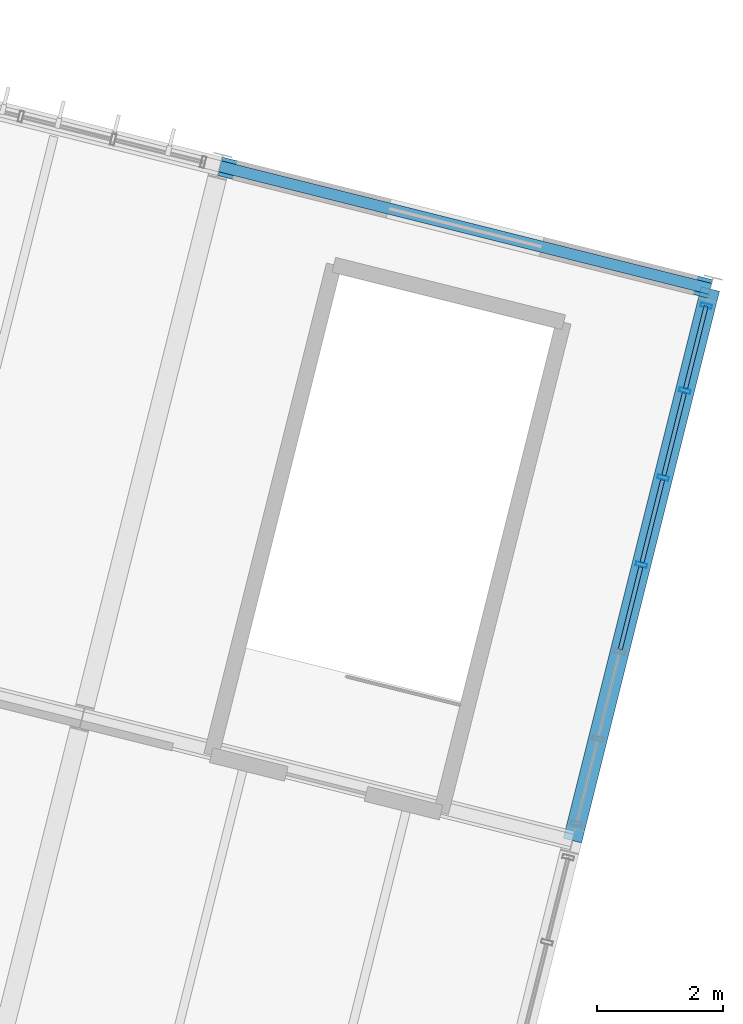
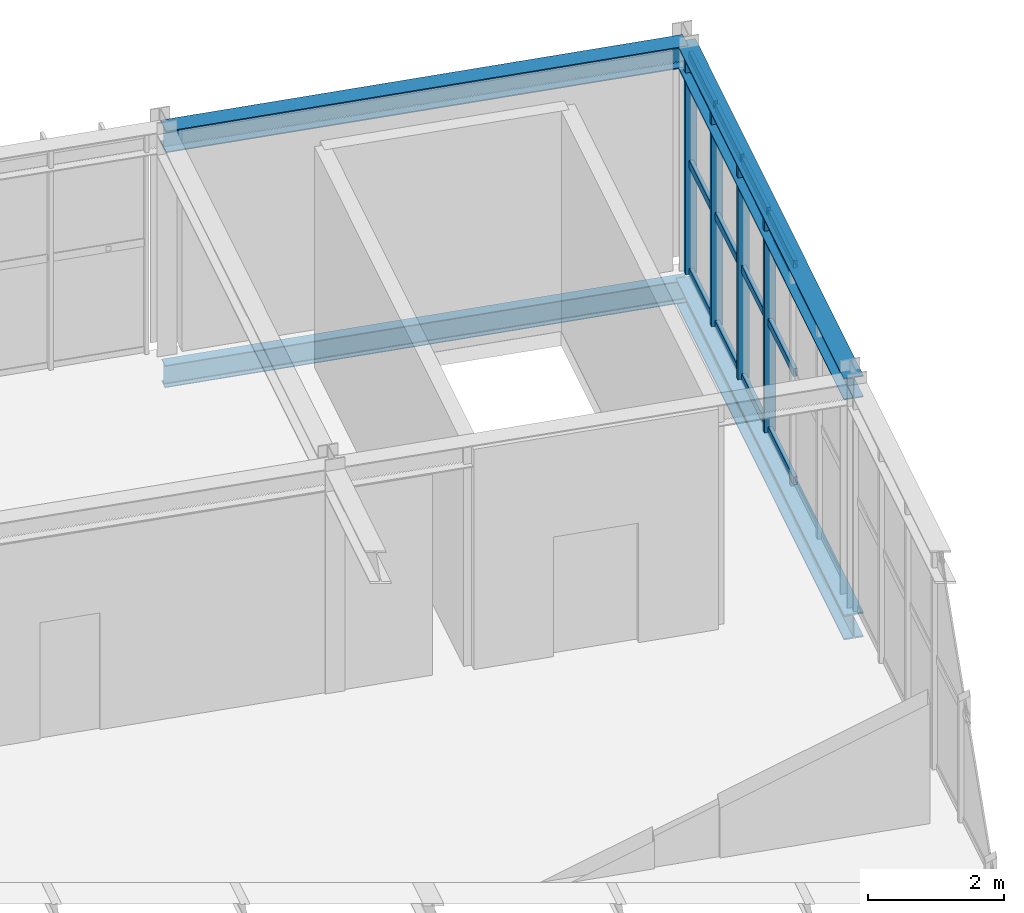
# One storey, part 20 of 30: 16 members, 4 beams, 1 element without a shape of its own.
"""IFC4 building model written with IfcOpenShell, lengths in metres."""

import ifcopenshell
import ifcopenshell.guid

model = None  # the IFC model being written
_history = None  # IfcOwnerHistory: only IFC2X3 demands one
_inside = {}  # id of a spatial element -> (the spatial element, [elements in it])
_under = {}  # id of a project, library or spatial element -> (it, [spatial elements below it])
_declared = {}  # id of a project -> (the project, [libraries it declares])
_typed = {}  # id of a type object -> (the type object, [elements of that type])
_made_of = {}  # id of a material, layer set ... -> (it, [elements and type objects made of it])


def new_model(schema):
    """Start an empty IFC model of exactly this schema.

    Asked for "IFC4X3", IfcOpenShell would pick the latest addendum, in which some entities
    have other attributes; the version numbers below select the first issue.
    IFC2X3 requires an IfcOwnerHistory on every rooted entity: one is made here for all.
    """
    global model, _history
    if schema == "IFC4X3":
        model = ifcopenshell.file(schema_version=(4, 3, 0, 0))
    else:
        model = ifcopenshell.file(schema=schema)
    _inside.clear()
    _under.clear()
    _declared.clear()
    _typed.clear()
    _made_of.clear()
    _history = None
    if model.schema == "IFC2X3":
        org = make("IfcOrganization", Name="unknown")
        user = make(
            "IfcPersonAndOrganization",
            ThePerson=make("IfcPerson", FamilyName="unknown"),
            TheOrganization=org,
        )
        app = make(
            "IfcApplication",
            ApplicationDeveloper=org,
            Version="unknown",
            ApplicationFullName="unknown",
            ApplicationIdentifier="unknown",
        )
        _history = make(
            "IfcOwnerHistory",
            OwningUser=user,
            OwningApplication=app,
            ChangeAction="ADDED",
            CreationDate=0,
        )
    return model


def make(cls, **values):
    """One entity of the class cls with the attributes given. An attribute that is None is left unset."""
    return model.create_entity(
        cls, **{name: value for name, value in values.items() if value is not None}
    )


def rooted(cls, **values):
    """An entity with a GlobalId (a new one), such as an element, a storey or a relation."""
    return make(cls, GlobalId=ifcopenshell.guid.new(), OwnerHistory=_history, **values)


def si_unit(unit_type, name, prefix=None):
    """IfcSIUnit, for example si_unit("LENGTHUNIT", "METRE", prefix="MILLI")."""
    return make("IfcSIUnit", UnitType=unit_type, Prefix=prefix, Name=name)


def derived_unit(unit_type, elements):
    """IfcDerivedUnit: a product of units, each with its exponent."""
    return make(
        "IfcDerivedUnit",
        Elements=[
            make("IfcDerivedUnitElement", Unit=unit, Exponent=power)
            for unit, power in elements
        ],
        UnitType=unit_type,
    )


def assignment(units):
    """IfcUnitAssignment: the units of a project."""
    return None if units is None else make("IfcUnitAssignment", Units=units)


def point(xyz):
    """IfcCartesianPoint."""
    return None if xyz is None else make("IfcCartesianPoint", Coordinates=xyz)


def direction(xyz):
    """IfcDirection."""
    return None if xyz is None else make("IfcDirection", DirectionRatios=xyz)


def frame(location, z_axis=None, x_axis=None):
    """IfcAxis2Placement3D, a coordinate frame: its origin and axes. An axis left out is left unset."""
    return make(
        "IfcAxis2Placement3D",
        Location=point(location),
        Axis=direction(z_axis),
        RefDirection=direction(x_axis),
    )


def frame_2d(location, x_axis=None):
    """IfcAxis2Placement2D, a coordinate frame in the plane: its origin and x axis."""
    return make(
        "IfcAxis2Placement2D", Location=point(location), RefDirection=direction(x_axis)
    )


def origin():
    """The frame at (0, 0, 0) with its axes left unset."""
    return frame((0.0, 0.0, 0.0))


def origin_2d():
    """The frame at (0, 0) in the plane with its x axis left unset."""
    return frame_2d((0.0, 0.0))


def place(relative_to, where):
    """IfcLocalPlacement: puts the frame where relative to a parent placement (None: the world)."""
    return make(
        "IfcLocalPlacement", PlacementRelTo=relative_to, RelativePlacement=where
    )


def context(
    kind, dimensions, precision=None, world=None, true_north=None, identifier=None
):
    """IfcGeometricRepresentationContext, for example the 3D "Model" context."""
    return make(
        "IfcGeometricRepresentationContext",
        ContextIdentifier=identifier,
        ContextType=kind,
        CoordinateSpaceDimension=dimensions,
        Precision=precision,
        WorldCoordinateSystem=world,
        TrueNorth=true_north,
    )


def subcontext(parent, identifier, kind, view, scale=None):
    """IfcGeometricRepresentationSubContext, for example "Body" below "Model"."""
    return make(
        "IfcGeometricRepresentationSubContext",
        ContextIdentifier=identifier,
        ContextType=kind,
        ParentContext=parent,
        TargetScale=scale,
        TargetView=view,
    )


def project(units=None, contexts=None):
    """IfcProject with its units and contexts."""
    return rooted(
        "IfcProject",
        Name="project",
        RepresentationContexts=contexts,
        UnitsInContext=assignment(units),
    )


def spatial(cls, under=None, at=None, **own):
    """A site, building, storey or space (cls), placed at a placement, below another one or the project."""
    s = rooted(cls, ObjectPlacement=at, **own)
    if under is not None:
        _under.setdefault(under.id(), (under, []))[1].append(s)
    return s


def profile(cls, at=None, kind="AREA", **sizes):
    """A parametric profile (cls). Its sizes go by their IFC names, for example OverallWidth=200.0."""
    return make(cls, ProfileType=kind, Position=at, **sizes)


def hollow_rectangle(**sizes):
    """IfcRectangleHollowProfileDef."""
    return profile("IfcRectangleHollowProfileDef", **sizes)


def i_section(**sizes):
    """IfcIShapeProfileDef."""
    return profile("IfcIShapeProfileDef", **sizes)


def extrude(swept, where, along, depth):
    """IfcExtrudedAreaSolid: the profile swept, set in the frame where, extruded along a direction by depth."""
    return make(
        "IfcExtrudedAreaSolid",
        SweptArea=swept,
        Position=where,
        ExtrudedDirection=direction(along),
        Depth=depth,
    )


def shape(context_of_items, identifier, shape_type, items):
    """IfcShapeRepresentation: the items that make up one representation, for example the "Body"."""
    return make(
        "IfcShapeRepresentation",
        ContextOfItems=context_of_items,
        RepresentationIdentifier=identifier,
        RepresentationType=shape_type,
        Items=items,
    )


def material(Name=None, Category=None):
    """IfcMaterial."""
    return make("IfcMaterial", Name=Name, Category=Category)


def material_profile(
    of_material, cross_section, Name=None, Category=None, Priority=None
):
    """IfcMaterialProfile: a cross section and its material."""
    return make(
        "IfcMaterialProfile",
        Name=Name,
        Material=of_material,
        Profile=cross_section,
        Priority=Priority,
        Category=Category,
    )


def profile_set(profiles, Name=None, composite=None):
    """IfcMaterialProfileSet."""
    return make(
        "IfcMaterialProfileSet",
        Name=Name,
        MaterialProfiles=profiles,
        CompositeProfile=composite,
    )


def made_of(thing, what):
    """Note that an element or type object is made of a material, layer set ...; save() writes the relation."""
    if what is not None:
        _made_of.setdefault(what.id(), (what, []))[1].append(thing)
    return thing


def type_object(cls, material=None, **own):
    """A type object (cls), such as IfcWallType, which elements share."""
    return made_of(rooted(cls, **own), material)


def element(
    cls,
    number,
    at=None,
    inside=None,
    cuts=None,
    type_object=None,
    material=None,
    context=None,
    identifier="Body",
    shape_type=None,
    held_by="IfcProductDefinitionShape",
    body=None,
    shapes=None,
    **own,
):
    """One element of the class cls, such as IfcWall. Its Tag is "e" and its number.

    at: its placement. inside: the storey or other place that contains it. cuts: it is an
    opening in that element (IfcRelVoidsElement). A single representation is given by context,
    identifier, shape_type and body (its items); several are given by shapes. held_by: the class
    of the entity that holds the representations. save() writes the other relations.
    """
    e = rooted(cls, Tag="e%d" % number, ObjectPlacement=at, **own)
    if body is not None:
        shapes = [shape(context, identifier, shape_type, body)]
    if shapes is not None:
        e.Representation = make(held_by, Representations=shapes)
    if inside is not None:
        _inside.setdefault(inside.id(), (inside, []))[1].append(e)
    if cuts is not None:
        rooted(
            "IfcRelVoidsElement", RelatingBuildingElement=cuts, RelatedOpeningElement=e
        )
    if type_object is not None:
        _typed.setdefault(type_object.id(), (type_object, []))[1].append(e)
    return made_of(e, material)


def aggregate(whole, parts):
    """IfcRelAggregates: a whole, such as a stair, and the parts it consists of."""
    return rooted("IfcRelAggregates", RelatingObject=whole, RelatedObjects=parts)


def save(model, path):
    """Write the relations noted so far, then the file.

    IfcRelAggregates (storeys below a building ...), IfcRelContainedInSpatialStructure (elements
    in a storey), IfcRelDefinesByType, IfcRelAssociatesMaterial and IfcRelDeclares: one each for
    every whole, place, type object, material and project.
    """
    for whole, parts in _under.values():
        aggregate(whole, parts)
    for where, things in _inside.values():
        rooted(
            "IfcRelContainedInSpatialStructure",
            RelatedElements=things,
            RelatingStructure=where,
        )
    for kind, things in _typed.values():
        rooted("IfcRelDefinesByType", RelatedObjects=things, RelatingType=kind)
    for what, things in _made_of.values():
        rooted("IfcRelAssociatesMaterial", RelatedObjects=things, RelatingMaterial=what)
    for by, libraries in _declared.values():
        rooted("IfcRelDeclares", RelatingContext=by, RelatedDefinitions=libraries)
    model.write(path)


model = new_model("IFC4")

# Units and contexts
model_context = context("Model", 3, precision=1e-05, world=origin(), true_north=direction((0.0, 1.0)))
body_context = subcontext(model_context, "Body", "Model", "MODEL_VIEW")
ifc_project = project(units=[si_unit("LENGTHUNIT", "METRE"), si_unit("AREAUNIT", "SQUARE_METRE"), si_unit("VOLUMEUNIT", "CUBIC_METRE"), si_unit("PLANEANGLEUNIT", "RADIAN"), si_unit("MASSUNIT", "GRAM", prefix="KILO"), si_unit("THERMODYNAMICTEMPERATUREUNIT", "KELVIN"), si_unit("TIMEUNIT", "SECOND"), derived_unit("THERMALTRANSMITTANCEUNIT", [(si_unit("MASSUNIT", "GRAM", prefix="KILO"), 1), (si_unit("THERMODYNAMICTEMPERATUREUNIT", "KELVIN"), -1), (si_unit("TIMEUNIT", "SECOND"), -3)])], contexts=[model_context])

# Site, building, storey
site_placement = place(None, origin())
site = spatial("IfcSite", under=ifc_project, at=site_placement, CompositionType="ELEMENT")
building_placement = place(site_placement, origin())
building = spatial("IfcBuilding", under=site, at=building_placement, Name="Cambertide Market Hall", CompositionType="ELEMENT")
storey_placement = place(building_placement, frame((0.0, 0.0, 14.10009765625)))
storey = spatial("IfcBuildingStorey", under=building, at=storey_placement, Name="L04", CompositionType="ELEMENT", Elevation=14.10009765625)

# Curtain wall, members
ifc_material_1 = material(Name="Marine Anodized Aluminium 6063-T6 AA25", Category="aluminium")
curtain_wall_type = type_object("IfcCurtainWallType", Name="Cooking School Classroom Curtain Wall", PredefinedType="USERDEFINED", material=ifc_material_1)
curtain_wall_placement = place(storey_placement, origin())
curtain_wall = element("IfcCurtainWall", 1, at=curtain_wall_placement, inside=storey, type_object=curtain_wall_type, Name="Level 4 Curtain Wall CW-V4E-L04-3", ObjectType="UNITIZED CURTAIN WALL", PredefinedType="USERDEFINED")
ifc_material_2 = material(Name="Champagne Marine Anodized Aluminium 6063-T6 AA25", Category="aluminium")
ifc_material_profile_1 = material_profile(ifc_material_2, hollow_rectangle(XDim=0.06494140625, YDim=0.179931640625, WallThickness=0.00390625, at=origin_2d()), Name="ALU MULLION 65x180")
ifc_profile_set_1 = profile_set([ifc_material_profile_1], Name="Champagne Marine Anodized Aluminium 6063-T6 AA25")
member_type_1 = type_object("IfcMemberType", Name="Curtain Wall Mullion ALU MULLION 65x180", PredefinedType="MULLION", material=ifc_profile_set_1)
member_1_placement = place(storey_placement, frame((176.57080078125, 110.40478515625, 0.0), z_axis=(0.0, 0.0, 1.0), x_axis=(-0.242535569805, -0.970142513953, 0.0)))
member_1 = element("IfcMember", 2, at=member_1_placement, type_object=member_type_1, Name="CW-V4E-L04-3 Mullion 1", PredefinedType="MULLION", context=body_context, shape_type="SweptSolid", body=[
    extrude(hollow_rectangle(XDim=0.06494140625, YDim=0.179931640625, WallThickness=0.00390625, at=origin_2d()), origin(), (0.0, 0.0, 1.0), 3.9599609375),
])
member_2_placement = place(storey_placement, frame((176.23486328125, 109.06103515625, 0.0), z_axis=(0.0, 0.0, 1.0), x_axis=(-0.242535569805, -0.970142513953, 0.0)))
member_2 = element("IfcMember", 3, at=member_2_placement, type_object=member_type_1, Name="CW-V4E-L04-3 Mullion 2", PredefinedType="MULLION", context=body_context, shape_type="SweptSolid", body=[
    extrude(hollow_rectangle(XDim=0.06494140625, YDim=0.179931640625, WallThickness=0.00390625, at=origin_2d()), origin(), (0.0, 0.0, 1.0), 3.9599609375),
])
member_3_placement = place(storey_placement, frame((175.890625, 107.68359375, 0.0), z_axis=(0.0, 0.0, 1.0), x_axis=(-0.242535569805, -0.970142513953, 0.0)))
member_3 = element("IfcMember", 4, at=member_3_placement, type_object=member_type_1, Name="CW-V4E-L04-3 Mullion 3", PredefinedType="MULLION", context=body_context, shape_type="SweptSolid", body=[
    extrude(hollow_rectangle(XDim=0.06494140625, YDim=0.179931640625, WallThickness=0.00390625, at=origin_2d()), origin(), (0.0, 0.0, 1.0), 3.9599609375),
])
member_4_placement = place(storey_placement, frame((175.546142578125, 106.305908203125, 0.0), z_axis=(0.0, 0.0, 1.0), x_axis=(-0.242535569805, -0.970142513953, 0.0)))
member_4 = element("IfcMember", 5, at=member_4_placement, type_object=member_type_1, Name="CW-V4E-L04-3 Mullion 4", PredefinedType="MULLION", context=body_context, shape_type="SweptSolid", body=[
    extrude(hollow_rectangle(XDim=0.06494140625, YDim=0.179931640625, WallThickness=0.00390625, at=origin_2d()), origin(), (0.0, 0.0, 1.0), 3.9599609375),
])
ifc_material_3 = material(Name="Champagne Marine Anodized Aluminium 6063-T6 AA25", Category="aluminium")
ifc_material_profile_2 = material_profile(ifc_material_3, hollow_rectangle(XDim=0.06494140625, YDim=0.139892578125, WallThickness=0.00341796875, at=origin_2d()), Name="ALU TRANSOM 65x140")
ifc_profile_set_2 = profile_set([ifc_material_profile_2], Name="Champagne Marine Anodized Aluminium 6063-T6 AA25")
member_type_2 = type_object("IfcMemberType", Name="Curtain Wall Transom ALU TRANSOM 65x140", PredefinedType="USERDEFINED", material=ifc_profile_set_2)
member_5_placement = place(storey_placement, frame((176.569580078125, 110.39990234375, 0.034912109375), z_axis=(-0.242492756941, -0.970153216163, 0.0), x_axis=(0.970153216163, -0.242492756941, 0.0)))
member_5 = element("IfcMember", 6, at=member_5_placement, type_object=member_type_2, Name="CW-V4E-L04-3 Transom 1-1", ObjectType="TRANSOM", PredefinedType="USERDEFINED", context=body_context, shape_type="SweptSolid", body=[
    extrude(hollow_rectangle(XDim=0.06494140625, YDim=0.139892578125, WallThickness=0.00341796875, at=origin_2d()), origin(), (0.0, 0.0, 1.0), 1.340087890625),
])
member_6_placement = place(storey_placement, frame((176.225341796875, 109.022216796875, 0.034912109375), z_axis=(-0.242535625036, -0.970142500145, 0.0), x_axis=(0.970142500145, -0.242535625036, 0.0)))
member_6 = element("IfcMember", 7, at=member_6_placement, type_object=member_type_2, Name="CW-V4E-L04-3 Transom 1-2", ObjectType="TRANSOM", PredefinedType="USERDEFINED", context=body_context, shape_type="SweptSolid", body=[
    extrude(hollow_rectangle(XDim=0.06494140625, YDim=0.139892578125, WallThickness=0.00341796875, at=origin_2d()), origin(), (0.0, 0.0, 1.0), 1.33984375),
])
member_7_placement = place(storey_placement, frame((175.880859375, 107.644775390625, 0.034912109375), z_axis=(-0.242492756941, -0.970153216163, 0.0), x_axis=(0.970153216163, -0.242492756941, 0.0)))
member_7 = element("IfcMember", 8, at=member_7_placement, type_object=member_type_2, Name="CW-V4E-L04-3 Transom 1-3", ObjectType="TRANSOM", PredefinedType="USERDEFINED", context=body_context, shape_type="SweptSolid", body=[
    extrude(hollow_rectangle(XDim=0.06494140625, YDim=0.139892578125, WallThickness=0.00341796875, at=origin_2d()), origin(), (0.0, 0.0, 1.0), 1.340087890625),
])
member_8_placement = place(storey_placement, frame((175.536376953125, 106.26708984375, 0.034912109375), z_axis=(-0.242492756941, -0.970153216163, 0.0), x_axis=(0.970153216163, -0.242492756941, 0.0)))
member_8 = element("IfcMember", 9, at=member_8_placement, type_object=member_type_2, Name="CW-V4E-L04-3 Transom 1-4", ObjectType="TRANSOM", PredefinedType="USERDEFINED", context=body_context, shape_type="SweptSolid", body=[
    extrude(hollow_rectangle(XDim=0.06494140625, YDim=0.139892578125, WallThickness=0.00341796875, at=origin_2d()), origin(), (0.0, 0.0, 1.0), 1.340087890625),
])
member_9_placement = place(storey_placement, frame((176.569580078125, 110.39990234375, 1.97998046875), z_axis=(-0.242492756941, -0.970153216163, 0.0), x_axis=(0.970153216163, -0.242492756941, 0.0)))
member_9 = element("IfcMember", 10, at=member_9_placement, type_object=member_type_2, Name="CW-V4E-L04-3 Transom 2-1", ObjectType="TRANSOM", PredefinedType="USERDEFINED", context=body_context, shape_type="SweptSolid", body=[
    extrude(hollow_rectangle(XDim=0.06494140625, YDim=0.139892578125, WallThickness=0.00341796875, at=origin_2d()), origin(), (0.0, 0.0, 1.0), 1.340087890625),
])
member_10_placement = place(storey_placement, frame((176.225341796875, 109.022216796875, 1.97998046875), z_axis=(-0.242535625036, -0.970142500145, 0.0), x_axis=(0.970142500145, -0.242535625036, 0.0)))
member_10 = element("IfcMember", 11, at=member_10_placement, type_object=member_type_2, Name="CW-V4E-L04-3 Transom 2-2", ObjectType="TRANSOM", PredefinedType="USERDEFINED", context=body_context, shape_type="SweptSolid", body=[
    extrude(hollow_rectangle(XDim=0.06494140625, YDim=0.139892578125, WallThickness=0.00341796875, at=origin_2d()), origin(), (0.0, 0.0, 1.0), 1.33984375),
])
member_11_placement = place(storey_placement, frame((175.880859375, 107.644775390625, 1.97998046875), z_axis=(-0.242492756941, -0.970153216163, 0.0), x_axis=(0.970153216163, -0.242492756941, 0.0)))
member_11 = element("IfcMember", 12, at=member_11_placement, type_object=member_type_2, Name="CW-V4E-L04-3 Transom 2-3", ObjectType="TRANSOM", PredefinedType="USERDEFINED", context=body_context, shape_type="SweptSolid", body=[
    extrude(hollow_rectangle(XDim=0.06494140625, YDim=0.139892578125, WallThickness=0.00341796875, at=origin_2d()), origin(), (0.0, 0.0, 1.0), 1.340087890625),
])
member_12_placement = place(storey_placement, frame((175.536376953125, 106.26708984375, 1.97998046875), z_axis=(-0.242492756941, -0.970153216163, 0.0), x_axis=(0.970153216163, -0.242492756941, 0.0)))
member_12 = element("IfcMember", 13, at=member_12_placement, type_object=member_type_2, Name="CW-V4E-L04-3 Transom 2-4", ObjectType="TRANSOM", PredefinedType="USERDEFINED", context=body_context, shape_type="SweptSolid", body=[
    extrude(hollow_rectangle(XDim=0.06494140625, YDim=0.139892578125, WallThickness=0.00341796875, at=origin_2d()), origin(), (0.0, 0.0, 1.0), 1.340087890625),
])
member_13_placement = place(storey_placement, frame((176.569580078125, 110.39990234375, 3.9248046875), z_axis=(-0.242492756941, -0.970153216163, 0.0), x_axis=(0.970153216163, -0.242492756941, 0.0)))
member_13 = element("IfcMember", 14, at=member_13_placement, type_object=member_type_2, Name="CW-V4E-L04-3 Transom 3-1", ObjectType="TRANSOM", PredefinedType="USERDEFINED", context=body_context, shape_type="SweptSolid", body=[
    extrude(hollow_rectangle(XDim=0.06494140625, YDim=0.139892578125, WallThickness=0.00341796875, at=origin_2d()), origin(), (0.0, 0.0, 1.0), 1.340087890625),
])
member_14_placement = place(storey_placement, frame((176.225341796875, 109.022216796875, 3.9248046875), z_axis=(-0.242535625036, -0.970142500145, 0.0), x_axis=(0.970142500145, -0.242535625036, 0.0)))
member_14 = element("IfcMember", 15, at=member_14_placement, type_object=member_type_2, Name="CW-V4E-L04-3 Transom 3-2", ObjectType="TRANSOM", PredefinedType="USERDEFINED", context=body_context, shape_type="SweptSolid", body=[
    extrude(hollow_rectangle(XDim=0.06494140625, YDim=0.139892578125, WallThickness=0.00341796875, at=origin_2d()), origin(), (0.0, 0.0, 1.0), 1.33984375),
])
member_15_placement = place(storey_placement, frame((175.880859375, 107.644775390625, 3.9248046875), z_axis=(-0.242492756941, -0.970153216163, 0.0), x_axis=(0.970153216163, -0.242492756941, 0.0)))
member_15 = element("IfcMember", 16, at=member_15_placement, type_object=member_type_2, Name="CW-V4E-L04-3 Transom 3-3", ObjectType="TRANSOM", PredefinedType="USERDEFINED", context=body_context, shape_type="SweptSolid", body=[
    extrude(hollow_rectangle(XDim=0.06494140625, YDim=0.139892578125, WallThickness=0.00341796875, at=origin_2d()), origin(), (0.0, 0.0, 1.0), 1.340087890625),
])
member_16_placement = place(storey_placement, frame((175.536376953125, 106.26708984375, 3.9248046875), z_axis=(-0.242492756941, -0.970153216163, 0.0), x_axis=(0.970153216163, -0.242492756941, 0.0)))
member_16 = element("IfcMember", 17, at=member_16_placement, type_object=member_type_2, Name="CW-V4E-L04-3 Transom 3-4", ObjectType="TRANSOM", PredefinedType="USERDEFINED", context=body_context, shape_type="SweptSolid", body=[
    extrude(hollow_rectangle(XDim=0.06494140625, YDim=0.139892578125, WallThickness=0.00341796875, at=origin_2d()), origin(), (0.0, 0.0, 1.0), 1.340087890625),
])
aggregate(curtain_wall, [member_1, member_2, member_3, member_4, member_5, member_6, member_7, member_8, member_9, member_10, member_11, member_12, member_13, member_14, member_15, member_16])

# Beams
ifc_material_4 = material(Name="Steel S355", Category="steel")
ifc_material_profile_3 = material_profile(ifc_material_4, i_section(OverallWidth=0.300048828125, OverallDepth=0.389892578125, WebThickness=0.010986328125, FlangeThickness=0.01904296875, FilletRadius=0.027099609375, at=origin_2d()), Name="HEA 400")
ifc_profile_set_3 = profile_set([ifc_material_profile_3], Name="Steel S355")
beam_type_1 = type_object("IfcBeamType", Name="Exterior Steel Girder HEA 400", PredefinedType="BEAM", material=ifc_profile_set_3)
beam_1_placement = place(storey_placement, frame((168.87646484375, 112.61181640625, 3.804931640625), z_axis=(0.970146090314, -0.242521263911, 0.0), x_axis=(0.242521263911, 0.970146090314, 0.0)))
element("IfcBeam", 18, at=beam_1_placement, inside=storey, type_object=beam_type_1, Name="Level 4 Beam BM-V4U-RF-8-4", PredefinedType="BEAM", context=body_context, shape_type="SweptSolid", body=[
    extrude(i_section(OverallWidth=0.300048828125, OverallDepth=0.389892578125, WebThickness=0.010986328125, FlangeThickness=0.01904296875, FilletRadius=0.027099609375, at=origin_2d()), origin(), (0.0, 0.0, 1.0), 8.0),
])
beam_2_placement = place(storey_placement, frame((174.454833984375, 101.940185546875, 3.804931640625), z_axis=(0.242535625036, 0.970142500145, 0.0), x_axis=(-0.970142500145, 0.242535625036, 0.0)))
element("IfcBeam", 19, at=beam_2_placement, inside=storey, type_object=beam_type_1, Name="Level 4 Beam BM-V4V-RF-9-3", PredefinedType="BEAM", context=body_context, shape_type="SweptSolid", body=[
    extrude(i_section(OverallWidth=0.300048828125, OverallDepth=0.389892578125, WebThickness=0.010986328125, FlangeThickness=0.01904296875, FilletRadius=0.027099609375, at=origin_2d()), origin(), (0.0, 0.0, 1.0), 9.000244140625),
])
ifc_material_5 = material(Name="Steel S355", Category="steel")
ifc_material_profile_4 = material_profile(ifc_material_5, i_section(OverallWidth=0.179931640625, OverallDepth=0.39990234375, WebThickness=0.008544921875, FlangeThickness=0.013427734375, FilletRadius=0.02099609375, at=origin_2d()), Name="IPE 400")
ifc_profile_set_4 = profile_set([ifc_material_profile_4], Name="Steel S355")
beam_type_2 = type_object("IfcBeamType", Name="Perimeter Spandrel Beam IPE 400", PredefinedType="SPANDREL", material=ifc_profile_set_4)
beam_3_placement = place(storey_placement, frame((168.87646484375, 112.61181640625, -0.455078125), z_axis=(0.970146090314, -0.242521263911, 0.0), x_axis=(0.242521263911, 0.970146090314, 0.0)))
element("IfcBeam", 20, at=beam_3_placement, inside=storey, type_object=beam_type_2, Name="Level 4 Spandrel BM-V4U-L04-8-4", PredefinedType="SPANDREL", context=body_context, shape_type="SweptSolid", body=[
    extrude(i_section(OverallWidth=0.179931640625, OverallDepth=0.39990234375, WebThickness=0.008544921875, FlangeThickness=0.013427734375, FilletRadius=0.02099609375, at=origin_2d()), origin(), (0.0, 0.0, 1.0), 8.0),
])
ifc_material_6 = material(Name="Steel S355", Category="steel")
ifc_material_profile_5 = material_profile(ifc_material_6, i_section(OverallWidth=0.300048828125, OverallDepth=0.449951171875, WebThickness=0.013916015625, FlangeThickness=0.02587890625, FilletRadius=0.027099609375, at=origin_2d()), Name="HEB 450")
ifc_profile_set_5 = profile_set([ifc_material_profile_5], Name="Steel S355")
beam_type_3 = type_object("IfcBeamType", Name="Steel Girder HEB 450", PredefinedType="BEAM", material=ifc_profile_set_5)
beam_4_placement = place(storey_placement, frame((174.454833984375, 101.940185546875, -0.47998046875), z_axis=(0.242535625036, 0.970142500145, 0.0), x_axis=(-0.970142500145, 0.242535625036, 0.0)))
element("IfcBeam", 21, at=beam_4_placement, inside=storey, type_object=beam_type_3, Name="Level 4 Beam BM-V4V-L04-9-3", PredefinedType="BEAM", context=body_context, shape_type="SweptSolid", body=[
    extrude(i_section(OverallWidth=0.300048828125, OverallDepth=0.449951171875, WebThickness=0.013916015625, FlangeThickness=0.02587890625, FilletRadius=0.027099609375, at=origin_2d()), origin(), (0.0, 0.0, 1.0), 9.000244140625),
])

save(model, "model.ifc")
